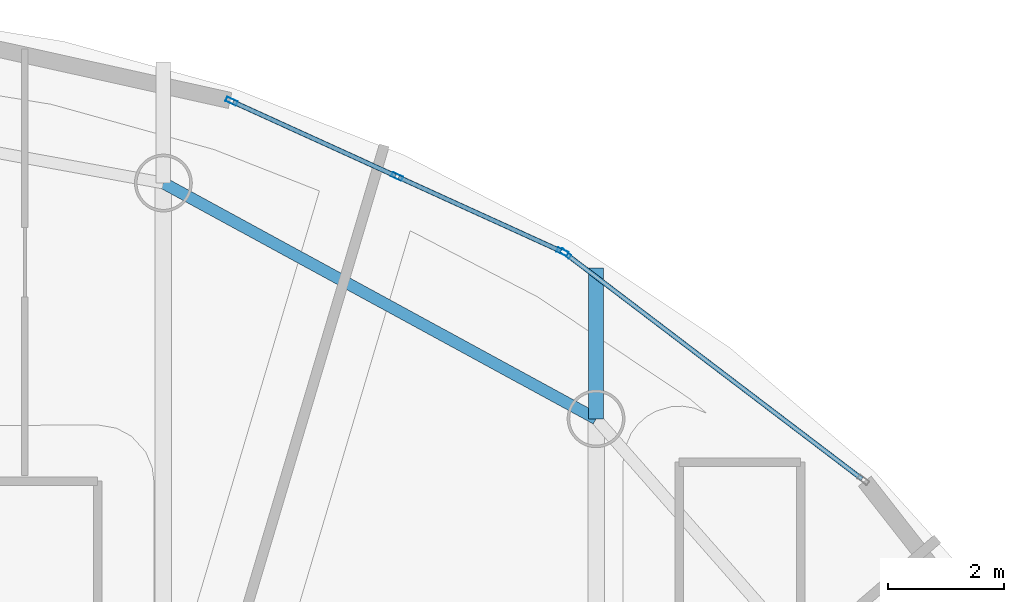
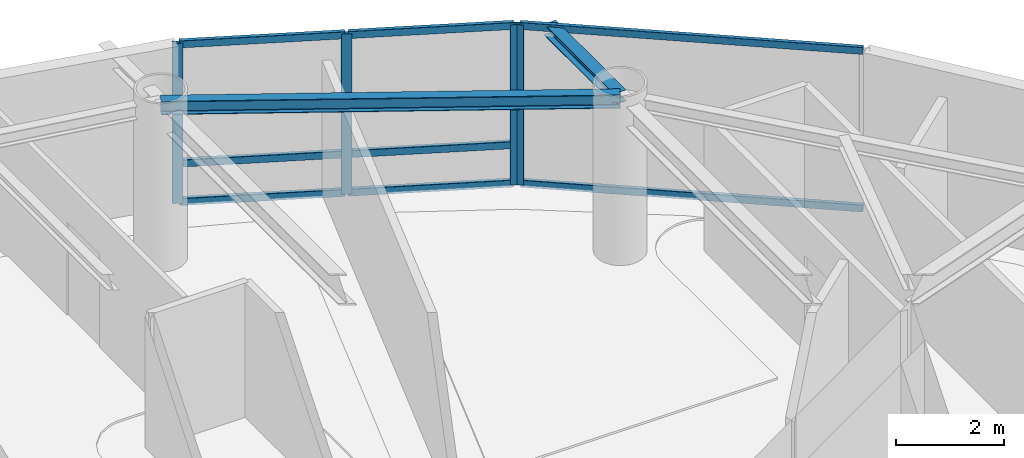
# One storey, part 11 of 19: 12 members, 2 beams, 2 elements without a shape of their own.
"""IFC4 building model written with IfcOpenShell, lengths in metres."""

from ifc_helpers import new_model, si_unit, direction, frame, origin, origin_2d, place, context, subcontext, project, spatial, hollow_rectangle, i_section, extrude, material, layer, layer_set, material_profile, profile_set, type_object, element, aggregate, save


model = new_model("IFC4")

# Units and contexts
model_context = context("Model", 3, precision=1e-05, world=origin(), true_north=direction((0.0, 1.0)))
body_context = subcontext(model_context, "Body", "Model", "MODEL_VIEW")
ifc_project = project(units=[si_unit("LENGTHUNIT", "METRE"), si_unit("AREAUNIT", "SQUARE_METRE"), si_unit("VOLUMEUNIT", "CUBIC_METRE"), si_unit("PLANEANGLEUNIT", "RADIAN"), si_unit("MASSUNIT", "GRAM", prefix="KILO")], contexts=[model_context])

# Site, building, storey
site_placement = place(None, origin())
site = spatial("IfcSite", under=ifc_project, at=site_placement, CompositionType="ELEMENT")
building_placement = place(site_placement, origin())
building = spatial("IfcBuilding", under=site, at=building_placement, Name="Bramvorn Convention Spire", CompositionType="ELEMENT")
storey_placement = place(building_placement, frame((0.0, 0.0, 272.85009765625)))
storey = spatial("IfcBuildingStorey", under=building, at=storey_placement, Name="L69", CompositionType="ELEMENT", Elevation=272.85009765625)

# Beams
ifc_material_1 = material(Name="Steel CSA G40.21 Grade 350 (350W)", Category="steel")
ifc_material_profile_1 = material_profile(ifc_material_1, i_section(OverallWidth=0.25390625, OverallDepth=0.2529296875, WebThickness=0.008544921875, FlangeThickness=0.01416015625, FilletRadius=0.011962890625, at=origin_2d()))
ifc_profile_set_1 = profile_set([ifc_material_profile_1], Name="Steel CSA G40.21 Grade 350 (350W) - W250X73")
beam_type_1 = type_object("IfcBeamType", Name="BM-W250X73", PredefinedType="BEAM", material=ifc_profile_set_1)
beam_1_placement = place(storey_placement, frame((47.662353515625, 41.476806640625, 3.498291015625), z_axis=(0.0, 1.0, 0.0), x_axis=(-1.0, 0.0, 0.0)))
element("IfcBeam", 1, at=beam_1_placement, inside=storey, type_object=beam_type_1, Name="L69 slab-edge cantilever tip beam MC06", PredefinedType="BEAM", context=body_context, shape_type="SweptSolid", body=[
    extrude(i_section(OverallWidth=0.25390625, OverallDepth=0.2529296875, WebThickness=0.008544921875, FlangeThickness=0.01416015625, FilletRadius=0.011962890625, at=origin_2d()), origin(), (0.0, 0.0, 1.0), 2.6044921875),
])
ifc_material_profile_2 = material_profile(ifc_material_1, i_section(OverallWidth=0.202880859375, OverallDepth=0.302978515625, WebThickness=0.007568359375, FlangeThickness=0.01318359375, FilletRadius=0.013916015625, at=origin_2d()))
ifc_profile_set_2 = profile_set([ifc_material_profile_2], Name="Steel CSA G40.21 Grade 350 (350W) - W310X60")
beam_type_2 = type_object("IfcBeamType", Name="BM-W310X60", PredefinedType="JOIST", material=ifc_profile_set_2)
beam_2_placement = place(storey_placement, frame((47.662353515625, 41.476806640625, 3.473388671875), z_axis=(-0.878133224771, 0.478416178189, 0.0), x_axis=(-0.478416178189, -0.878133224771, 0.0)))
element("IfcBeam", 2, at=beam_2_placement, inside=storey, type_object=beam_type_2, Name="L69 mega-column ring beam 06", PredefinedType="JOIST", context=body_context, shape_type="SweptSolid", body=[
    extrude(i_section(OverallWidth=0.202880859375, OverallDepth=0.302978515625, WebThickness=0.007568359375, FlangeThickness=0.01318359375, FilletRadius=0.013916015625, at=origin_2d()), origin(), (0.0, 0.0, 1.0), 8.515625),
])

# Curtain wall, member
ifc_material_2 = material(Name="Anodised Bronze Unitised Curtain Wall", Category="aluminium")
ifc_layer = layer(ifc_material_2, 0.179931640625)
ifc_layer_set = layer_set([ifc_layer], Name="Anodised Bronze Unitised Curtain Wall - CW-OFF-FRIT")
curtain_wall_type = type_object("IfcCurtainWallType", Name="CW-OFF-FRIT", PredefinedType="USERDEFINED", material=ifc_layer_set)
curtain_wall_1_placement = place(storey_placement, origin())
curtain_wall_1 = element("IfcCurtainWall", 3, at=curtain_wall_1_placement, inside=storey, type_object=curtain_wall_type, Name="L69 fritted glass curtain wall 08", ObjectType="UNITISED CURTAIN WALL", PredefinedType="USERDEFINED")
ifc_material_3 = material(Name="Anodised Bronze Aluminium 6063-T6", Category="aluminium")
ifc_material_profile_3 = material_profile(ifc_material_3, hollow_rectangle(XDim=0.080078125, YDim=0.199951171875, WallThickness=0.00390625, InnerFilletRadius=0.0009765625, OuterFilletRadius=0.00390625, at=origin_2d()))
ifc_profile_set_3 = profile_set([ifc_material_profile_3], Name="Anodised Bronze Aluminium 6063-T6 - CWM80X200")
member_type_1 = type_object("IfcMemberType", Name="CW-MUL-180", PredefinedType="MULLION", material=ifc_profile_set_3)
member_1_placement = place(storey_placement, frame((47.13525390625, 44.33056640625, 0.0), z_axis=(0.0, 0.0, 1.0), x_axis=(0.605189713703, 0.796081283807, 0.0)))
member_1 = element("IfcMember", 4, at=member_1_placement, type_object=member_type_1, Name="CW3 mullion 1", PredefinedType="MULLION", context=body_context, shape_type="SweptSolid", body=[
    extrude(hollow_rectangle(XDim=0.080078125, YDim=0.199951171875, WallThickness=0.00390625, InnerFilletRadius=0.0009765625, OuterFilletRadius=0.00390625, at=origin_2d()), origin(), (0.0, 0.0, 1.0), 3.625),
])

# Curtain wall, members
curtain_wall_2_placement = place(storey_placement, origin())
curtain_wall_2 = element("IfcCurtainWall", 5, at=curtain_wall_2_placement, inside=storey, type_object=curtain_wall_type, Name="L69 fritted glass curtain wall 09", ObjectType="UNITISED CURTAIN WALL", PredefinedType="USERDEFINED")
member_2_placement = place(storey_placement, frame((41.363525390625, 46.964599609375, 0.0), z_axis=(0.0, 0.0, 1.0), x_axis=(0.414235109502, 0.910169914936, 0.0)))
member_2 = element("IfcMember", 6, at=member_2_placement, type_object=member_type_1, Name="CW3 mullion 1", PredefinedType="MULLION", context=body_context, shape_type="SweptSolid", body=[
    extrude(hollow_rectangle(XDim=0.080078125, YDim=0.199951171875, WallThickness=0.00390625, InnerFilletRadius=0.0009765625, OuterFilletRadius=0.00390625, at=origin_2d()), origin(), (0.0, 0.0, 1.0), 3.625),
])
member_3_placement = place(storey_placement, frame((44.223876953125, 45.662841796875, 0.0), z_axis=(0.0, 0.0, 1.0), x_axis=(0.414235109502, 0.910169914936, 0.0)))
member_3 = element("IfcMember", 7, at=member_3_placement, type_object=member_type_1, Name="CW3 mullion 2", PredefinedType="MULLION", context=body_context, shape_type="SweptSolid", body=[
    extrude(hollow_rectangle(XDim=0.080078125, YDim=0.199951171875, WallThickness=0.00390625, InnerFilletRadius=0.0009765625, OuterFilletRadius=0.00390625, at=origin_2d()), origin(), (0.0, 0.0, 1.0), 3.625),
])
member_4_placement = place(storey_placement, frame((47.083984375, 44.361083984375, 0.0), z_axis=(0.0, 0.0, 1.0), x_axis=(0.414235109502, 0.910169914936, 0.0)))
member_4 = element("IfcMember", 8, at=member_4_placement, type_object=member_type_1, Name="CW3 mullion 3", PredefinedType="MULLION", context=body_context, shape_type="SweptSolid", body=[
    extrude(hollow_rectangle(XDim=0.080078125, YDim=0.199951171875, WallThickness=0.00390625, InnerFilletRadius=0.0009765625, OuterFilletRadius=0.00390625, at=origin_2d()), origin(), (0.0, 0.0, 1.0), 3.625),
])

# Member
ifc_material_profile_4 = material_profile(ifc_material_3, hollow_rectangle(XDim=0.080078125, YDim=0.159912109375, WallThickness=0.00390625, InnerFilletRadius=0.0009765625, OuterFilletRadius=0.00390625, at=origin_2d()))
ifc_profile_set_4 = profile_set([ifc_material_profile_4], Name="Anodised Bronze Aluminium 6063-T6 - CWT80X160")
member_type_2 = type_object("IfcMemberType", Name="CW-TRN-150", PredefinedType="USERDEFINED", material=ifc_profile_set_4)
member_5_placement = place(storey_placement, frame((47.1591796875, 44.3125, 0.02978515625), z_axis=(0.796063779833, -0.605212738165, 0.0), x_axis=(0.605212738165, 0.796063779833, 0.0)))
member_5 = element("IfcMember", 9, at=member_5_placement, type_object=member_type_2, Name="CW3 transom 1.1", ObjectType="TRANSOM", PredefinedType="USERDEFINED", context=body_context, shape_type="SweptSolid", body=[
    extrude(hollow_rectangle(XDim=0.080078125, YDim=0.159912109375, WallThickness=0.00390625, InnerFilletRadius=0.0009765625, OuterFilletRadius=0.00390625, at=origin_2d()), origin(), (0.0, 0.0, 1.0), 6.40625),
])

member_6_placement = place(storey_placement, frame((47.1591796875, 44.3125, 3.594970703125), z_axis=(0.796063779833, -0.605212738165, 0.0), x_axis=(0.605212738165, 0.796063779833, 0.0)))
member_6 = element("IfcMember", 10, at=member_6_placement, type_object=member_type_2, Name="CW3 transom 1.2", ObjectType="TRANSOM", PredefinedType="USERDEFINED", context=body_context, shape_type="SweptSolid", body=[
    extrude(hollow_rectangle(XDim=0.080078125, YDim=0.159912109375, WallThickness=0.00390625, InnerFilletRadius=0.0009765625, OuterFilletRadius=0.00390625, at=origin_2d()), origin(), (0.0, 0.0, 1.0), 6.40625),
])

aggregate(curtain_wall_1, [member_1, member_5, member_6])

member_7_placement = place(storey_placement, frame((41.390869140625, 46.9521484375, 0.02978515625), z_axis=(0.910176516511, -0.414220604016, 0.0), x_axis=(0.414220604016, 0.910176516511, 0.0)))
member_7 = element("IfcMember", 11, at=member_7_placement, type_object=member_type_2, Name="CW3 transom 1.1", ObjectType="TRANSOM", PredefinedType="USERDEFINED", context=body_context, shape_type="SweptSolid", body=[
    extrude(hollow_rectangle(XDim=0.080078125, YDim=0.159912109375, WallThickness=0.00390625, InnerFilletRadius=0.0009765625, OuterFilletRadius=0.00390625, at=origin_2d()), origin(), (0.0, 0.0, 1.0), 3.08251953125),
])

member_8_placement = place(storey_placement, frame((41.390869140625, 46.9521484375, 0.89990234375), z_axis=(0.910176516511, -0.414220604016, 0.0), x_axis=(0.414220604016, 0.910176516511, 0.0)))
member_8 = element("IfcMember", 12, at=member_8_placement, type_object=member_type_2, Name="CW3 transom 1.2", ObjectType="TRANSOM", PredefinedType="USERDEFINED", context=body_context, shape_type="SweptSolid", body=[
    extrude(hollow_rectangle(XDim=0.080078125, YDim=0.159912109375, WallThickness=0.00390625, InnerFilletRadius=0.0009765625, OuterFilletRadius=0.00390625, at=origin_2d()), origin(), (0.0, 0.0, 1.0), 3.08251953125),
])

member_9_placement = place(storey_placement, frame((41.390869140625, 46.9521484375, 3.594970703125), z_axis=(0.910176516511, -0.414220604016, 0.0), x_axis=(0.414220604016, 0.910176516511, 0.0)))
member_9 = element("IfcMember", 13, at=member_9_placement, type_object=member_type_2, Name="CW3 transom 1.3", ObjectType="TRANSOM", PredefinedType="USERDEFINED", context=body_context, shape_type="SweptSolid", body=[
    extrude(hollow_rectangle(XDim=0.080078125, YDim=0.159912109375, WallThickness=0.00390625, InnerFilletRadius=0.0009765625, OuterFilletRadius=0.00390625, at=origin_2d()), origin(), (0.0, 0.0, 1.0), 3.08251953125),
])

member_10_placement = place(storey_placement, frame((44.251220703125, 45.650390625, 0.02978515625), z_axis=(0.910176516511, -0.414220604016, 0.0), x_axis=(0.414220604016, 0.910176516511, 0.0)))
member_10 = element("IfcMember", 14, at=member_10_placement, type_object=member_type_2, Name="CW3 transom 2.1", ObjectType="TRANSOM", PredefinedType="USERDEFINED", context=body_context, shape_type="SweptSolid", body=[
    extrude(hollow_rectangle(XDim=0.080078125, YDim=0.159912109375, WallThickness=0.00390625, InnerFilletRadius=0.0009765625, OuterFilletRadius=0.00390625, at=origin_2d()), origin(), (0.0, 0.0, 1.0), 3.08251953125),
])

member_11_placement = place(storey_placement, frame((44.251220703125, 45.650390625, 0.89990234375), z_axis=(0.910176516511, -0.414220604016, 0.0), x_axis=(0.414220604016, 0.910176516511, 0.0)))
member_11 = element("IfcMember", 15, at=member_11_placement, type_object=member_type_2, Name="CW3 transom 2.2", ObjectType="TRANSOM", PredefinedType="USERDEFINED", context=body_context, shape_type="SweptSolid", body=[
    extrude(hollow_rectangle(XDim=0.080078125, YDim=0.159912109375, WallThickness=0.00390625, InnerFilletRadius=0.0009765625, OuterFilletRadius=0.00390625, at=origin_2d()), origin(), (0.0, 0.0, 1.0), 3.08251953125),
])

member_12_placement = place(storey_placement, frame((44.251220703125, 45.650390625, 3.594970703125), z_axis=(0.910176516511, -0.414220604016, 0.0), x_axis=(0.414220604016, 0.910176516511, 0.0)))
member_12 = element("IfcMember", 16, at=member_12_placement, type_object=member_type_2, Name="CW3 transom 2.3", ObjectType="TRANSOM", PredefinedType="USERDEFINED", context=body_context, shape_type="SweptSolid", body=[
    extrude(hollow_rectangle(XDim=0.080078125, YDim=0.159912109375, WallThickness=0.00390625, InnerFilletRadius=0.0009765625, OuterFilletRadius=0.00390625, at=origin_2d()), origin(), (0.0, 0.0, 1.0), 3.08251953125),
])

aggregate(curtain_wall_2, [member_2, member_3, member_4, member_7, member_8, member_9, member_10, member_11, member_12])

save(model, "model.ifc")
